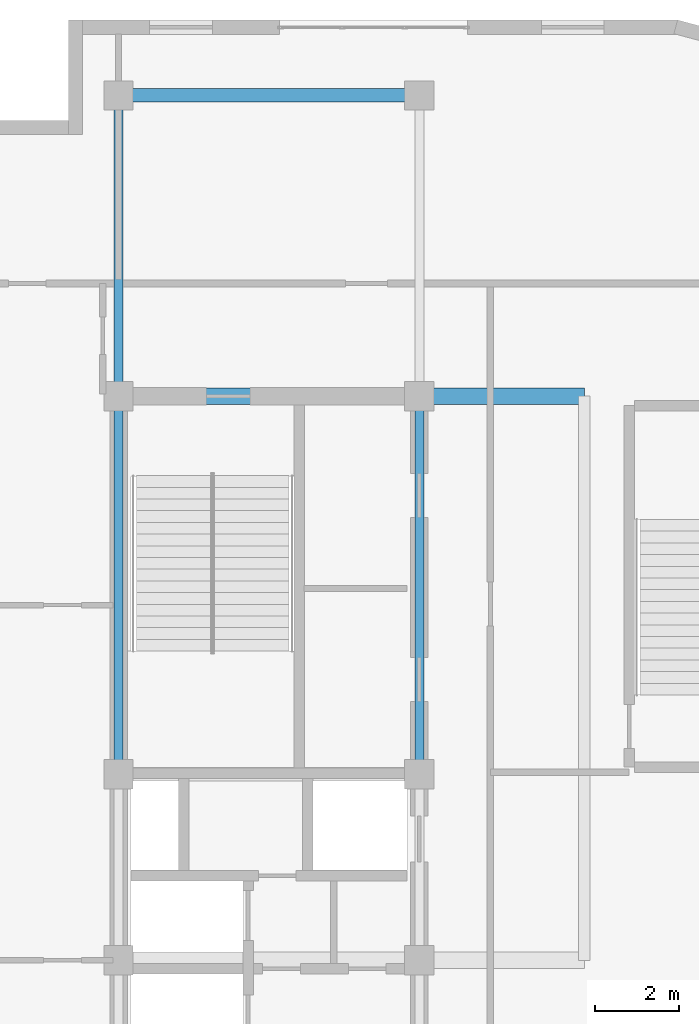
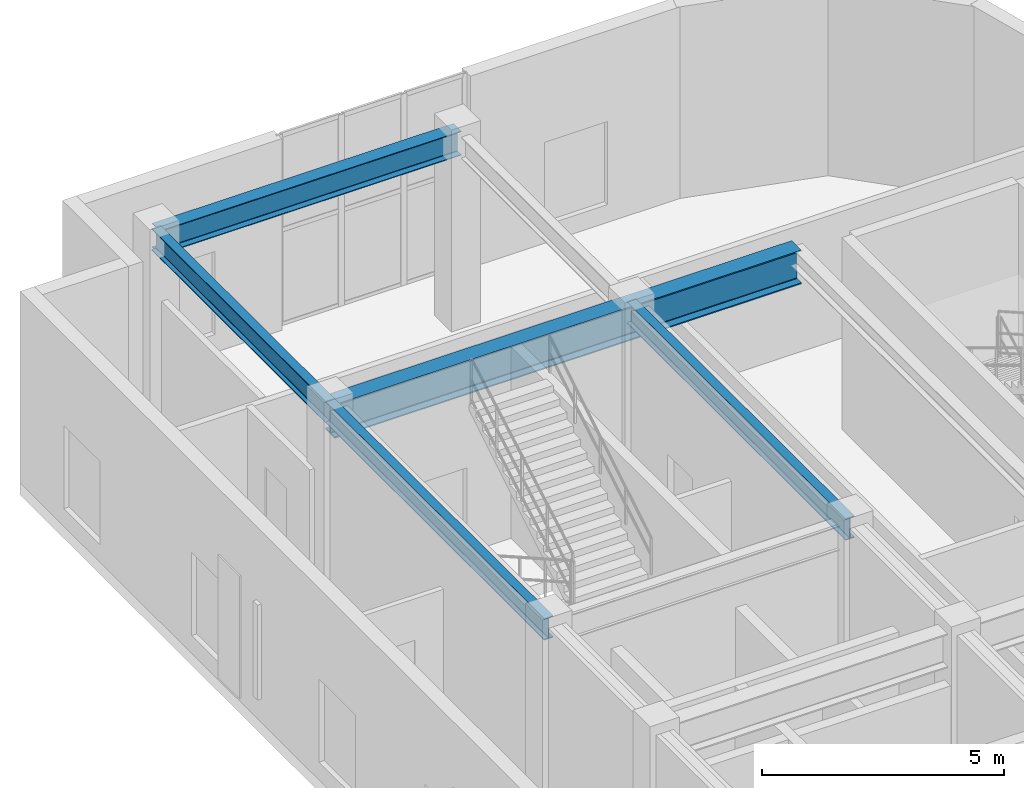
# One storey, part 3 of 10: 5 beams.
"""IFC4 building model written with IfcOpenShell, lengths in metres."""

from ifc_helpers import new_model, entity, si_unit, converted_unit, direction, frame, origin_with_axes, origin_2d_with_axis, place, context, subcontext, project, spatial, i_section, extrude, material, material_profile, profile_set, type_object, element, save


model = new_model("IFC4")

# Units and contexts
model_context = context("Model", 3, precision=1e-05, world=origin_with_axes(), true_north=direction((0.0, 1.0)))
body_context = subcontext(model_context, "Body", "Model", "MODEL_VIEW")
ifc_project = project(units=[si_unit("LENGTHUNIT", "METRE"), si_unit("AREAUNIT", "SQUARE_METRE"), si_unit("VOLUMEUNIT", "CUBIC_METRE"), converted_unit("PLANEANGLEUNIT", "DEGREE", entity("IfcPlaneAngleMeasure", 0.017453292519943295), si_unit("PLANEANGLEUNIT", "RADIAN"), dimensions=[0, 0, 0, 0, 0, 0, 0]), si_unit("MASSUNIT", "GRAM", prefix="KILO"), si_unit("THERMODYNAMICTEMPERATUREUNIT", "KELVIN")], contexts=[model_context])

# Site, building, storey
site_placement = place(None, origin_with_axes())
site = spatial("IfcSite", under=ifc_project, at=site_placement, CompositionType="ELEMENT")
building_placement = place(site_placement, origin_with_axes())
building = spatial("IfcBuilding", under=site, at=building_placement, Name="Varnlund Millrace Tower", CompositionType="ELEMENT")
storey_placement = place(building_placement, frame((0.0, 0.0, 303.6), z_axis=(0.0, 0.0, 1.0), x_axis=(1.0, 0.0, 0.0)))
storey = spatial("IfcBuildingStorey", under=building, at=storey_placement, Name="L75", CompositionType="ELEMENT", Elevation=303.6)

# Beams
ifc_material = material(Name="Steel ASTM A992 Grade 50", Category="steel")
ifc_material_profile_1 = material_profile(ifc_material, i_section(OverallWidth=0.214, OverallDepth=0.549, WebThickness=0.0147, FlangeThickness=0.0236, FilletRadius=0.015, at=origin_2d_with_axis()), Name="Steel ASTM A992 Grade 50")
ifc_profile_set_1 = profile_set([ifc_material_profile_1], Name="Steel ASTM A992 Grade 50")
beam_type_1 = type_object("IfcBeamType", Name="Type-Beam-W21X93", PredefinedType="BEAM", material=ifc_profile_set_1)
beam_1_placement = place(storey_placement, frame((11.4, 28.75, 4.5655), z_axis=(0.0, 1.0, 0.0), x_axis=(-1.0, 0.0, 0.0)))
element("IfcBeam", 1, at=beam_1_placement, inside=storey, type_object=beam_type_1, Name="Type-Beam-W21X93", PredefinedType="BEAM", context=body_context, shape_type="SweptSolid", body=[
    extrude(i_section(OverallWidth=0.214, OverallDepth=0.549, WebThickness=0.0147, FlangeThickness=0.0236, FilletRadius=0.015, at=origin_2d_with_axis()), origin_with_axes(), (0.0, 0.0, 1.0), 9.05),
])
beam_2_placement = place(storey_placement, frame((11.4, 37.8, 4.5655), z_axis=(0.0, 1.0, 0.0), x_axis=(-1.0, 0.0, 0.0)))
element("IfcBeam", 2, at=beam_2_placement, inside=storey, type_object=beam_type_1, Name="Type-Beam-W21X93", PredefinedType="BEAM", context=body_context, shape_type="SweptSolid", body=[
    extrude(i_section(OverallWidth=0.214, OverallDepth=0.549, WebThickness=0.0147, FlangeThickness=0.0236, FilletRadius=0.015, at=origin_2d_with_axis()), origin_with_axes(), (0.0, 0.0, 1.0), 7.2),
])
beam_3_placement = place(storey_placement, frame((18.6, 28.75, 4.5655), z_axis=(0.0, 1.0, 0.0), x_axis=(-1.0, 0.0, 0.0)))
element("IfcBeam", 3, at=beam_3_placement, inside=storey, type_object=beam_type_1, Name="Type-Beam-W21X93", PredefinedType="BEAM", context=body_context, shape_type="SweptSolid", body=[
    extrude(i_section(OverallWidth=0.214, OverallDepth=0.549, WebThickness=0.0147, FlangeThickness=0.0236, FilletRadius=0.015, at=origin_2d_with_axis()), origin_with_axes(), (0.0, 0.0, 1.0), 9.05),
])
ifc_material_profile_2 = material_profile(ifc_material, i_section(OverallWidth=0.324, OverallDepth=0.611, WebThickness=0.0127, FlangeThickness=0.0191, FilletRadius=0.016, at=origin_2d_with_axis()), Name="Steel ASTM A992 Grade 50")
ifc_profile_set_2 = profile_set([ifc_material_profile_2], Name="Steel ASTM A992 Grade 50")
beam_type_2 = type_object("IfcBeamType", Name="Type-Girder-W24X104", PredefinedType="USERDEFINED", material=ifc_profile_set_2)
beam_4_placement = place(storey_placement, frame((11.4, 45.0, 4.5345), z_axis=(1.0, 0.0, 0.0), x_axis=(0.0, 1.0, 0.0)))
element("IfcBeam", 4, at=beam_4_placement, inside=storey, type_object=beam_type_2, Name="Type-Girder-W24X104", ObjectType="GIRDER", PredefinedType="USERDEFINED", context=body_context, shape_type="SweptSolid", body=[
    extrude(i_section(OverallWidth=0.324, OverallDepth=0.611, WebThickness=0.0127, FlangeThickness=0.0191, FilletRadius=0.016, at=origin_2d_with_axis()), origin_with_axes(), (0.0, 0.0, 1.0), 7.2),
])
ifc_material_profile_3 = material_profile(ifc_material, i_section(OverallWidth=0.399, OverallDepth=0.855, WebThickness=0.0182, FlangeThickness=0.0292, FilletRadius=0.022, at=origin_2d_with_axis()), Name="Steel ASTM A992 Grade 50")
ifc_profile_set_3 = profile_set([ifc_material_profile_3], Name="Steel ASTM A992 Grade 50")
beam_type_3 = type_object("IfcBeamType", Name="Type-Girder-W33X201", PredefinedType="USERDEFINED", material=ifc_profile_set_3)
beam_5_placement = place(storey_placement, frame((11.4, 37.8, 4.4125), z_axis=(1.0, 0.0, 0.0), x_axis=(0.0, 1.0, 0.0)))
element("IfcBeam", 5, at=beam_5_placement, inside=storey, type_object=beam_type_3, Name="Type-Girder-W33X201", ObjectType="GIRDER", PredefinedType="USERDEFINED", context=body_context, shape_type="SweptSolid", body=[
    extrude(i_section(OverallWidth=0.399, OverallDepth=0.855, WebThickness=0.0182, FlangeThickness=0.0292, FilletRadius=0.022, at=origin_2d_with_axis()), origin_with_axes(), (0.0, 0.0, 1.0), 11.15),
])

save(model, "model.ifc")
